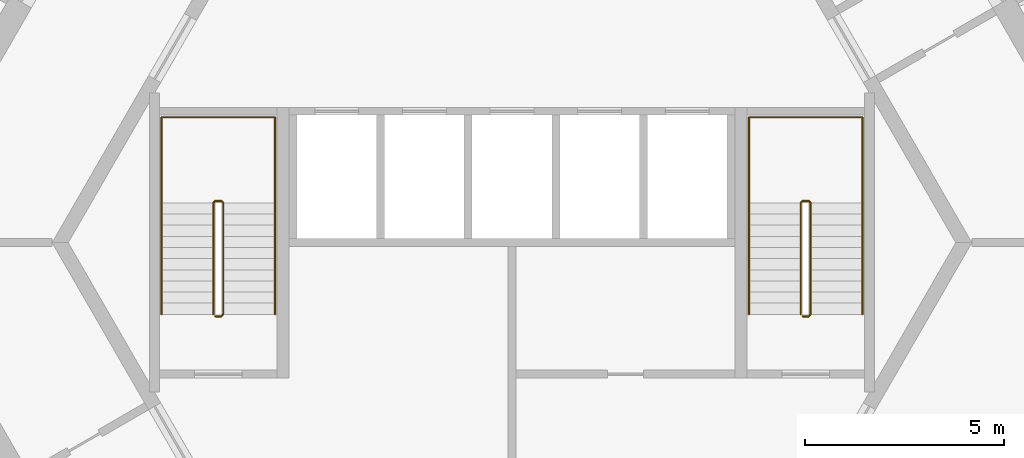
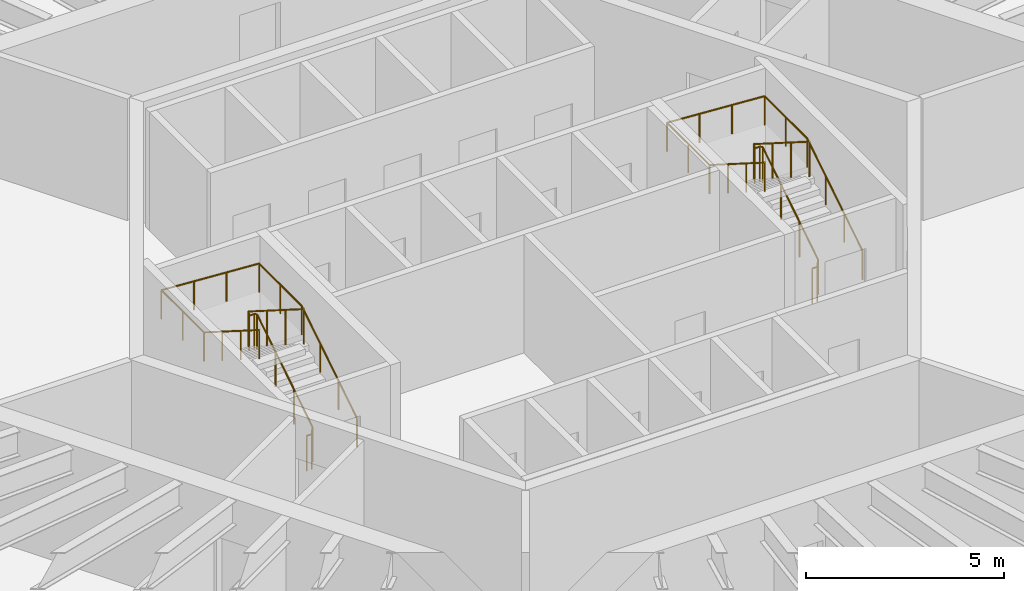
# One storey, part 12 of 12: 4 railings.
"""IFC4 building model written with IfcOpenShell, lengths in metres."""

from ifc_helpers import new_model, si_unit, direction, frame, origin, origin_2d, place, context, subcontext, project, spatial, circle, extrude, material, type_object, element, save


model = new_model("IFC4")

# Units and contexts
model_context = context("Model", 3, precision=1e-05, world=origin(), true_north=direction((0.0, 1.0)))
body_context = subcontext(model_context, "Body", "Model", "MODEL_VIEW")
ifc_project = project(units=[si_unit("LENGTHUNIT", "METRE"), si_unit("AREAUNIT", "SQUARE_METRE"), si_unit("VOLUMEUNIT", "CUBIC_METRE"), si_unit("PLANEANGLEUNIT", "RADIAN"), si_unit("MASSUNIT", "GRAM", prefix="KILO")], contexts=[model_context])

# Site, building, storey
site_placement = place(None, origin())
site = spatial("IfcSite", under=ifc_project, at=site_placement, CompositionType="ELEMENT")
building_placement = place(site_placement, origin())
building = spatial("IfcBuilding", under=site, at=building_placement, Name="Tarnside Tower", CompositionType="ELEMENT")
storey_placement = place(building_placement, frame((0.0, 0.0, 96.0)))
storey = spatial("IfcBuildingStorey", under=building, at=storey_placement, Name="L21", CompositionType="ELEMENT", Elevation=96.0)

# Railings
ifc_material = material(Name="Stainless steel", Category="steel")
railing_type_1 = type_object("IfcRailingType", Name="Stair guard 1100", PredefinedType="GUARDRAIL", material=ifc_material)
railing_1_placement = place(storey_placement, frame((7.300048828125, -1.85009765625, 0.0)))
element("IfcRailing", 1, at=railing_1_placement, inside=storey, type_object=railing_type_1, Name="L21 ST1 stair guard 1", PredefinedType="GUARDRAIL", context=body_context, shape_type="SweptSolid", body=[
    extrude(circle(Radius=0.02392578125, at=origin_2d()), frame((0.0, 0.0, 1.076171875), z_axis=(1.0, 0.0, 0.0), x_axis=(0.0, 1.0, 0.0)), (0.0, 0.0, 1.0), 0.14990234375),
    extrude(circle(Radius=0.02392578125, at=origin_2d()), frame((0.14990234375, 0.0, 1.076171875), z_axis=(0.262233686654, 0.262233686654, 0.928691007369), x_axis=(-0.707106781187, 0.707106781187, 0.0)), (0.0, 0.0, 1.0), 0.19091796875),
    extrude(circle(Radius=0.02392578125, at=origin_2d()), frame((0.199951171875, 0.050048828125, 1.25341796875), z_axis=(0.0, 0.844908973607, 0.534910110503), x_axis=(-1.0, 0.0, 0.0)), (0.0, 0.0, 1.0), 3.31396484375),
    extrude(circle(Radius=0.02392578125, at=origin_2d()), frame((0.199951171875, 2.85009765625, 3.02587890625), z_axis=(-0.707106781187, 0.707106781187, 0.0), x_axis=(-0.707106781187, -0.707106781187, 0.0)), (0.0, 0.0, 1.0), 0.07080078125),
    extrude(circle(Radius=0.02392578125, at=origin_2d()), frame((0.14990234375, 2.900146484375, 3.02587890625), z_axis=(-1.0, 0.0, 0.0), x_axis=(0.0, -1.0, 0.0)), (0.0, 0.0, 1.0), 0.14990234375),
    extrude(circle(Radius=0.02392578125, at=origin_2d()), frame((0.0, 2.900146484375, 3.02587890625), z_axis=(-0.262233686654, -0.262233686654, 0.928691007369), x_axis=(0.707106781187, -0.707106781187, 0.0)), (0.0, 0.0, 1.0), 0.19091796875),
    extrude(circle(Radius=0.02392578125, at=origin_2d()), frame((-0.050048828125, 2.85009765625, 3.203125), z_axis=(0.0, -0.844908973607, 0.534910110503), x_axis=(1.0, 0.0, 0.0)), (0.0, 0.0, 1.0), 3.31396484375),
    extrude(circle(Radius=0.02099609375, at=origin_2d()), origin(), (0.0, 0.0, 1.0), 1.052001953125),
    extrude(circle(Radius=0.02099609375, at=origin_2d()), frame((0.14990234375, 0.0, 0.0)), (0.0, 0.0, 1.0), 1.052001953125),
    extrude(circle(Radius=0.02099609375, at=origin_2d()), frame((0.199951171875, 0.050048828125, 0.17724609375)), (0.0, 0.0, 1.0), 1.052001953125),
    extrude(circle(Radius=0.02099609375, at=origin_2d()), frame((0.199951171875, 0.9833984375, 0.76806640625)), (0.0, 0.0, 1.0), 1.052001953125),
    extrude(circle(Radius=0.02099609375, at=origin_2d()), frame((0.199951171875, 1.916748046875, 1.359130859375)), (0.0, 0.0, 1.0), 1.052001953125),
    extrude(circle(Radius=0.02099609375, at=origin_2d()), frame((0.199951171875, 2.85009765625, 1.949951171875)), (0.0, 0.0, 1.0), 1.052001953125),
    extrude(circle(Radius=0.02099609375, at=origin_2d()), frame((0.14990234375, 2.900146484375, 1.949951171875)), (0.0, 0.0, 1.0), 1.052001953125),
    extrude(circle(Radius=0.02099609375, at=origin_2d()), frame((0.0, 2.900146484375, 1.949951171875)), (0.0, 0.0, 1.0), 1.052001953125),
    extrude(circle(Radius=0.02099609375, at=origin_2d()), frame((-0.050048828125, 2.85009765625, 2.127197265625)), (0.0, 0.0, 1.0), 1.052001953125),
    extrude(circle(Radius=0.02099609375, at=origin_2d()), frame((-0.050048828125, 1.916748046875, 2.718017578125)), (0.0, 0.0, 1.0), 1.052001953125),
    extrude(circle(Radius=0.02099609375, at=origin_2d()), frame((-0.050048828125, 0.9833984375, 3.30908203125)), (0.0, 0.0, 1.0), 1.052001953125),
    extrude(circle(Radius=0.02099609375, at=origin_2d()), frame((-0.050048828125, 0.050048828125, 3.89990234375)), (0.0, 0.0, 1.0), 1.052001953125),
])
railing_2_placement = place(storey_placement, frame((-7.449951171875, -1.85009765625, 0.0)))
element("IfcRailing", 2, at=railing_2_placement, inside=storey, type_object=railing_type_1, Name="L21 ST2 stair guard 1", PredefinedType="GUARDRAIL", context=body_context, shape_type="SweptSolid", body=[
    extrude(circle(Radius=0.02392578125, at=origin_2d()), frame((0.0, 0.0, 1.076171875), z_axis=(1.0, 0.0, 0.0), x_axis=(0.0, 1.0, 0.0)), (0.0, 0.0, 1.0), 0.14990234375),
    extrude(circle(Radius=0.02392578125, at=origin_2d()), frame((0.14990234375, 0.0, 1.076171875), z_axis=(0.262233686654, 0.262233686654, 0.928691007369), x_axis=(-0.707106781187, 0.707106781187, 0.0)), (0.0, 0.0, 1.0), 0.19091796875),
    extrude(circle(Radius=0.02392578125, at=origin_2d()), frame((0.199951171875, 0.050048828125, 1.25341796875), z_axis=(0.0, 0.844908973607, 0.534910110503), x_axis=(-1.0, 0.0, 0.0)), (0.0, 0.0, 1.0), 3.31396484375),
    extrude(circle(Radius=0.02392578125, at=origin_2d()), frame((0.199951171875, 2.85009765625, 3.02587890625), z_axis=(-0.707106781187, 0.707106781187, 0.0), x_axis=(-0.707106781187, -0.707106781187, 0.0)), (0.0, 0.0, 1.0), 0.07080078125),
    extrude(circle(Radius=0.02392578125, at=origin_2d()), frame((0.14990234375, 2.900146484375, 3.02587890625), z_axis=(-1.0, 0.0, 0.0), x_axis=(0.0, -1.0, 0.0)), (0.0, 0.0, 1.0), 0.14990234375),
    extrude(circle(Radius=0.02392578125, at=origin_2d()), frame((0.0, 2.900146484375, 3.02587890625), z_axis=(-0.262233686654, -0.262233686654, 0.928691007369), x_axis=(0.707106781187, -0.707106781187, 0.0)), (0.0, 0.0, 1.0), 0.19091796875),
    extrude(circle(Radius=0.02392578125, at=origin_2d()), frame((-0.050048828125, 2.85009765625, 3.203125), z_axis=(0.0, -0.844908973607, 0.534910110503), x_axis=(1.0, 0.0, 0.0)), (0.0, 0.0, 1.0), 3.31396484375),
    extrude(circle(Radius=0.02099609375, at=origin_2d()), origin(), (0.0, 0.0, 1.0), 1.052001953125),
    extrude(circle(Radius=0.02099609375, at=origin_2d()), frame((0.14990234375, 0.0, 0.0)), (0.0, 0.0, 1.0), 1.052001953125),
    extrude(circle(Radius=0.02099609375, at=origin_2d()), frame((0.199951171875, 0.050048828125, 0.17724609375)), (0.0, 0.0, 1.0), 1.052001953125),
    extrude(circle(Radius=0.02099609375, at=origin_2d()), frame((0.199951171875, 0.9833984375, 0.76806640625)), (0.0, 0.0, 1.0), 1.052001953125),
    extrude(circle(Radius=0.02099609375, at=origin_2d()), frame((0.199951171875, 1.916748046875, 1.359130859375)), (0.0, 0.0, 1.0), 1.052001953125),
    extrude(circle(Radius=0.02099609375, at=origin_2d()), frame((0.199951171875, 2.85009765625, 1.949951171875)), (0.0, 0.0, 1.0), 1.052001953125),
    extrude(circle(Radius=0.02099609375, at=origin_2d()), frame((0.14990234375, 2.900146484375, 1.949951171875)), (0.0, 0.0, 1.0), 1.052001953125),
    extrude(circle(Radius=0.02099609375, at=origin_2d()), frame((0.0, 2.900146484375, 1.949951171875)), (0.0, 0.0, 1.0), 1.052001953125),
    extrude(circle(Radius=0.02099609375, at=origin_2d()), frame((-0.050048828125, 2.85009765625, 2.127197265625)), (0.0, 0.0, 1.0), 1.052001953125),
    extrude(circle(Radius=0.02099609375, at=origin_2d()), frame((-0.050048828125, 1.916748046875, 2.718017578125)), (0.0, 0.0, 1.0), 1.052001953125),
    extrude(circle(Radius=0.02099609375, at=origin_2d()), frame((-0.050048828125, 0.9833984375, 3.30908203125)), (0.0, 0.0, 1.0), 1.052001953125),
    extrude(circle(Radius=0.02099609375, at=origin_2d()), frame((-0.050048828125, 0.050048828125, 3.89990234375)), (0.0, 0.0, 1.0), 1.052001953125),
])
railing_type_2 = type_object("IfcRailingType", Name="Stair handrail 900", PredefinedType="HANDRAIL", material=ifc_material)
railing_3_placement = place(storey_placement, frame((8.800048828125, -1.800048828125, 0.17724609375)))
element("IfcRailing", 3, at=railing_3_placement, inside=storey, type_object=railing_type_2, Name="L21 ST1 stair handrail 1", PredefinedType="HANDRAIL", context=body_context, shape_type="SweptSolid", body=[
    extrude(circle(Radius=0.02392578125, at=origin_2d()), frame((0.0, 0.0, 0.8857421875), z_axis=(0.0, 0.844908973607, 0.534910110503), x_axis=(-1.0, 0.0, 0.0)), (0.0, 0.0, 1.0), 3.31396484375),
    extrude(circle(Radius=0.02392578125, at=origin_2d()), frame((0.0, 2.800048828125, 2.65869140625), z_axis=(0.0, 1.0, 0.0), x_axis=(-1.0, 0.0, 0.0)), (0.0, 0.0, 1.0), 2.14990234375),
    extrude(circle(Radius=0.02392578125, at=origin_2d()), frame((0.0, 4.949951171875, 2.65869140625), z_axis=(-0.998071825391, 0.0, 0.06206956872), x_axis=(0.0, -1.0, 0.0)), (0.0, 0.0, 1.0), 2.855712890625),
    extrude(circle(Radius=0.02392578125, at=origin_2d()), frame((-2.85009765625, 4.949951171875, 2.8359375), z_axis=(0.0, -1.0, 0.0), x_axis=(1.0, 0.0, 0.0)), (0.0, 0.0, 1.0), 2.14990234375),
    extrude(circle(Radius=0.02392578125, at=origin_2d()), frame((-2.85009765625, 2.800048828125, 2.8359375), z_axis=(0.0, -0.844908973607, 0.534910110503), x_axis=(1.0, 0.0, 0.0)), (0.0, 0.0, 1.0), 3.31396484375),
    extrude(circle(Radius=0.02099609375, at=origin_2d()), origin(), (0.0, 0.0, 1.0), 0.86181640625),
    extrude(circle(Radius=0.02099609375, at=origin_2d()), frame((0.0, 0.933349609375, 0.5908203125)), (0.0, 0.0, 1.0), 0.86181640625),
    extrude(circle(Radius=0.02099609375, at=origin_2d()), frame((0.0, 1.86669921875, 1.181884765625)), (0.0, 0.0, 1.0), 0.86181640625),
    extrude(circle(Radius=0.02099609375, at=origin_2d()), frame((0.0, 2.800048828125, 1.772705078125)), (0.0, 0.0, 1.0), 0.86181640625),
    extrude(circle(Radius=0.02099609375, at=origin_2d()), frame((0.0, 3.875, 1.772705078125)), (0.0, 0.0, 1.0), 0.86181640625),
    extrude(circle(Radius=0.02099609375, at=origin_2d()), frame((0.0, 4.949951171875, 1.772705078125)), (0.0, 0.0, 1.0), 0.86181640625),
    extrude(circle(Radius=0.02099609375, at=origin_2d()), frame((-0.949951171875, 4.949951171875, 1.831787109375)), (0.0, 0.0, 1.0), 0.86181640625),
    extrude(circle(Radius=0.02099609375, at=origin_2d()), frame((-1.900146484375, 4.949951171875, 1.890869140625)), (0.0, 0.0, 1.0), 0.86181640625),
    extrude(circle(Radius=0.02099609375, at=origin_2d()), frame((-2.85009765625, 4.949951171875, 1.949951171875)), (0.0, 0.0, 1.0), 0.86181640625),
    extrude(circle(Radius=0.02099609375, at=origin_2d()), frame((-2.85009765625, 3.875, 1.949951171875)), (0.0, 0.0, 1.0), 0.86181640625),
    extrude(circle(Radius=0.02099609375, at=origin_2d()), frame((-2.85009765625, 2.800048828125, 1.949951171875)), (0.0, 0.0, 1.0), 0.86181640625),
    extrude(circle(Radius=0.02099609375, at=origin_2d()), frame((-2.85009765625, 1.86669921875, 2.540771484375)), (0.0, 0.0, 1.0), 0.86181640625),
    extrude(circle(Radius=0.02099609375, at=origin_2d()), frame((-2.85009765625, 0.933349609375, 3.1318359375)), (0.0, 0.0, 1.0), 0.86181640625),
    extrude(circle(Radius=0.02099609375, at=origin_2d()), frame((-2.85009765625, 0.0, 3.72265625)), (0.0, 0.0, 1.0), 0.86181640625),
])
railing_4_placement = place(storey_placement, frame((-5.949951171875, -1.800048828125, 0.17724609375)))
element("IfcRailing", 4, at=railing_4_placement, inside=storey, type_object=railing_type_2, Name="L21 ST2 stair handrail 1", PredefinedType="HANDRAIL", context=body_context, shape_type="SweptSolid", body=[
    extrude(circle(Radius=0.02392578125, at=origin_2d()), frame((0.0, 0.0, 0.8857421875), z_axis=(0.0, 0.844908973607, 0.534910110503), x_axis=(-1.0, 0.0, 0.0)), (0.0, 0.0, 1.0), 3.31396484375),
    extrude(circle(Radius=0.02392578125, at=origin_2d()), frame((0.0, 2.800048828125, 2.65869140625), z_axis=(0.0, 1.0, 0.0), x_axis=(-1.0, 0.0, 0.0)), (0.0, 0.0, 1.0), 2.14990234375),
    extrude(circle(Radius=0.02392578125, at=origin_2d()), frame((0.0, 4.949951171875, 2.65869140625), z_axis=(-0.998071825391, 0.0, 0.06206956872), x_axis=(0.0, -1.0, 0.0)), (0.0, 0.0, 1.0), 2.855712890625),
    extrude(circle(Radius=0.02392578125, at=origin_2d()), frame((-2.85009765625, 4.949951171875, 2.8359375), z_axis=(0.0, -1.0, 0.0), x_axis=(1.0, 0.0, 0.0)), (0.0, 0.0, 1.0), 2.14990234375),
    extrude(circle(Radius=0.02392578125, at=origin_2d()), frame((-2.85009765625, 2.800048828125, 2.8359375), z_axis=(0.0, -0.844908973607, 0.534910110503), x_axis=(1.0, 0.0, 0.0)), (0.0, 0.0, 1.0), 3.31396484375),
    extrude(circle(Radius=0.02099609375, at=origin_2d()), origin(), (0.0, 0.0, 1.0), 0.86181640625),
    extrude(circle(Radius=0.02099609375, at=origin_2d()), frame((0.0, 0.933349609375, 0.5908203125)), (0.0, 0.0, 1.0), 0.86181640625),
    extrude(circle(Radius=0.02099609375, at=origin_2d()), frame((0.0, 1.86669921875, 1.181884765625)), (0.0, 0.0, 1.0), 0.86181640625),
    extrude(circle(Radius=0.02099609375, at=origin_2d()), frame((0.0, 2.800048828125, 1.772705078125)), (0.0, 0.0, 1.0), 0.86181640625),
    extrude(circle(Radius=0.02099609375, at=origin_2d()), frame((0.0, 3.875, 1.772705078125)), (0.0, 0.0, 1.0), 0.86181640625),
    extrude(circle(Radius=0.02099609375, at=origin_2d()), frame((0.0, 4.949951171875, 1.772705078125)), (0.0, 0.0, 1.0), 0.86181640625),
    extrude(circle(Radius=0.02099609375, at=origin_2d()), frame((-0.949951171875, 4.949951171875, 1.831787109375)), (0.0, 0.0, 1.0), 0.86181640625),
    extrude(circle(Radius=0.02099609375, at=origin_2d()), frame((-1.900146484375, 4.949951171875, 1.890869140625)), (0.0, 0.0, 1.0), 0.86181640625),
    extrude(circle(Radius=0.02099609375, at=origin_2d()), frame((-2.85009765625, 4.949951171875, 1.949951171875)), (0.0, 0.0, 1.0), 0.86181640625),
    extrude(circle(Radius=0.02099609375, at=origin_2d()), frame((-2.85009765625, 3.875, 1.949951171875)), (0.0, 0.0, 1.0), 0.86181640625),
    extrude(circle(Radius=0.02099609375, at=origin_2d()), frame((-2.85009765625, 2.800048828125, 1.949951171875)), (0.0, 0.0, 1.0), 0.86181640625),
    extrude(circle(Radius=0.02099609375, at=origin_2d()), frame((-2.85009765625, 1.86669921875, 2.540771484375)), (0.0, 0.0, 1.0), 0.86181640625),
    extrude(circle(Radius=0.02099609375, at=origin_2d()), frame((-2.85009765625, 0.933349609375, 3.1318359375)), (0.0, 0.0, 1.0), 0.86181640625),
    extrude(circle(Radius=0.02099609375, at=origin_2d()), frame((-2.85009765625, 0.0, 3.72265625)), (0.0, 0.0, 1.0), 0.86181640625),
])

save(model, "model.ifc")
